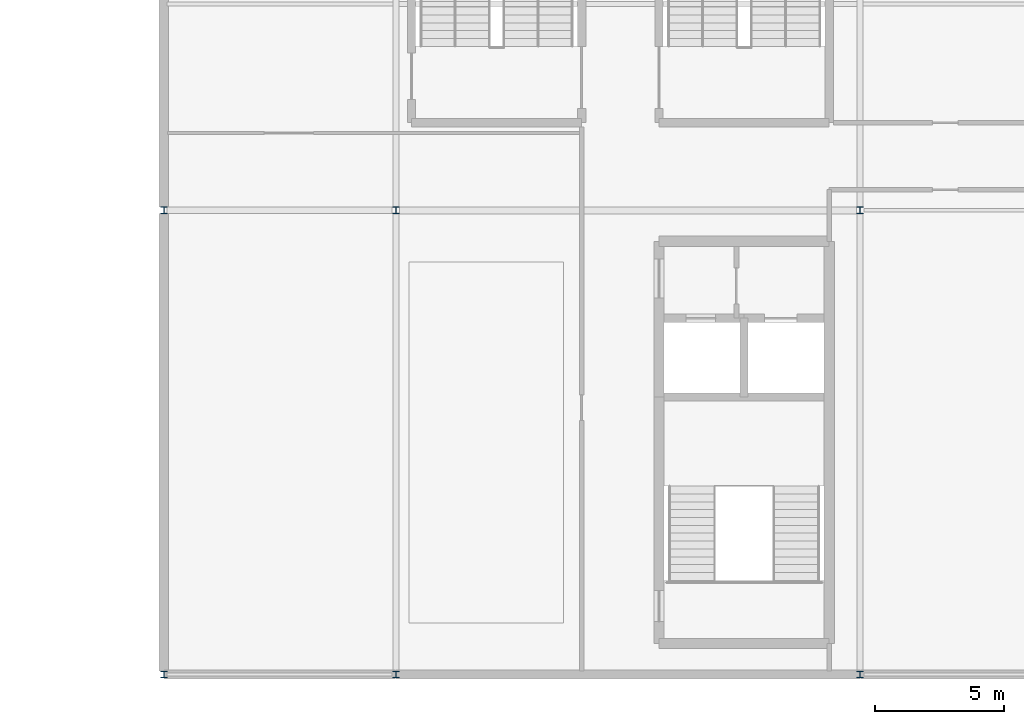
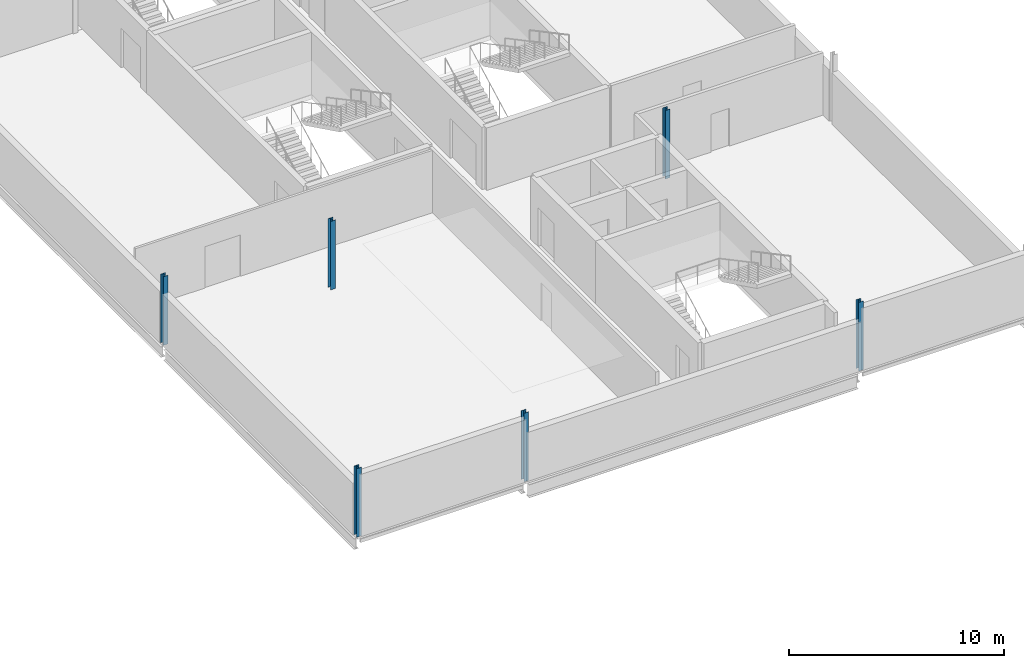
# One storey, part 6 of 30: 6 columns.
"""IFC4 building model written with IfcOpenShell, lengths in metres."""

from ifc_helpers import new_model, si_unit, direction, frame, origin, origin_2d, place, context, subcontext, project, spatial, i_section, extrude, material, material_profile, profile_set, type_object, element, save


model = new_model("IFC4")

# Units and contexts
model_context = context("Model", 3, precision=1e-05, world=origin(), true_north=direction((0.0, 1.0)))
body_context = subcontext(model_context, "Body", "Model", "MODEL_VIEW")
ifc_project = project(units=[si_unit("LENGTHUNIT", "METRE"), si_unit("AREAUNIT", "SQUARE_METRE"), si_unit("VOLUMEUNIT", "CUBIC_METRE"), si_unit("PLANEANGLEUNIT", "RADIAN"), si_unit("MASSUNIT", "GRAM", prefix="KILO")], contexts=[model_context])

# Site, building, storey
site_placement = place(None, origin())
site = spatial("IfcSite", under=ifc_project, at=site_placement, CompositionType="ELEMENT")
building_placement = place(site_placement, origin())
building = spatial("IfcBuilding", under=site, at=building_placement, Name="Kisiwana Market Hall", CompositionType="ELEMENT")
storey_placement = place(building_placement, frame((0.0, 0.0, 54.0)))
storey = spatial("IfcBuildingStorey", under=building, at=storey_placement, Name="L12", CompositionType="ELEMENT", Elevation=54.0)

# Columns
ifc_material = material(Name="Steel S355", Category="steel")
ifc_material_profile = material_profile(ifc_material, i_section(OverallWidth=0.25634765625, OverallDepth=0.26025390625, WebThickness=0.01025390625, FlangeThickness=0.017333984375, FilletRadius=0.0126953125, at=origin_2d()), Name="UC 254x254x89")
ifc_profile_set = profile_set([ifc_material_profile], Name="Steel S355")
column_type = type_object("IfcColumnType", Name="COL-STL-UC089", PredefinedType="COLUMN", material=ifc_profile_set)
for number, where, z_axis, x_axis, name in (
    (1, (162.0, 18.0, 0.0), (0.0, 0.0, 1.0), (1.0, 0.0, 0.0), "Column C/19 (L12) C-1380"),
    (2, (162.0, 36.0, 0.0), (0.0, 0.0, 1.0), (1.0, 0.0, 0.0), "Column E/19 (L12) C-1381"),
    (3, (171.0, 18.0, 0.0), (0.0, 0.0, 1.0), (1.0, 0.0, 0.0), "Column C/20 (L12) C-1384"),
    (4, (171.0, 36.0, 0.0), (0.0, 0.0, 1.0), (1.0, 0.0, 0.0), "Column E/20 (L12) C-1385"),
    (5, (189.0, 18.0, 0.0), (0.0, 0.0, 1.0), (1.0, 0.0, 0.0), "Column C/22 (L12) C-1389"),
    (6, (189.0, 36.0, 0.0), (0.0, 0.0, 1.0), (1.0, 0.0, 0.0), "Column E/22 (L12) C-1390"),
):
    element("IfcColumn", number, at=place(storey_placement, frame(where, z_axis=z_axis, x_axis=x_axis)), inside=storey, type_object=column_type, Name=name, PredefinedType="COLUMN", context=body_context, shape_type="SweptSolid", body=[
        extrude(i_section(OverallWidth=0.25634765625, OverallDepth=0.26025390625, WebThickness=0.01025390625, FlangeThickness=0.017333984375, FilletRadius=0.0126953125, at=origin_2d()), origin(), (0.0, 0.0, 1.0), 3.89990234375),
    ])

save(model, "model.ifc")
